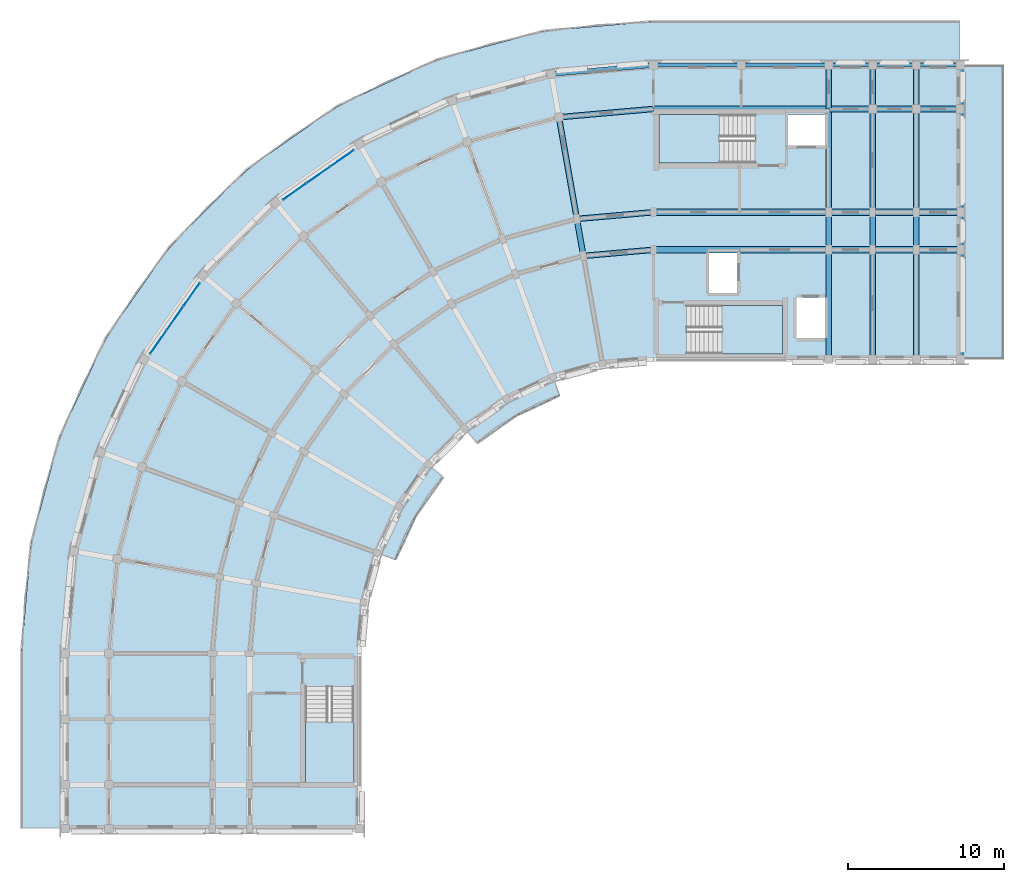
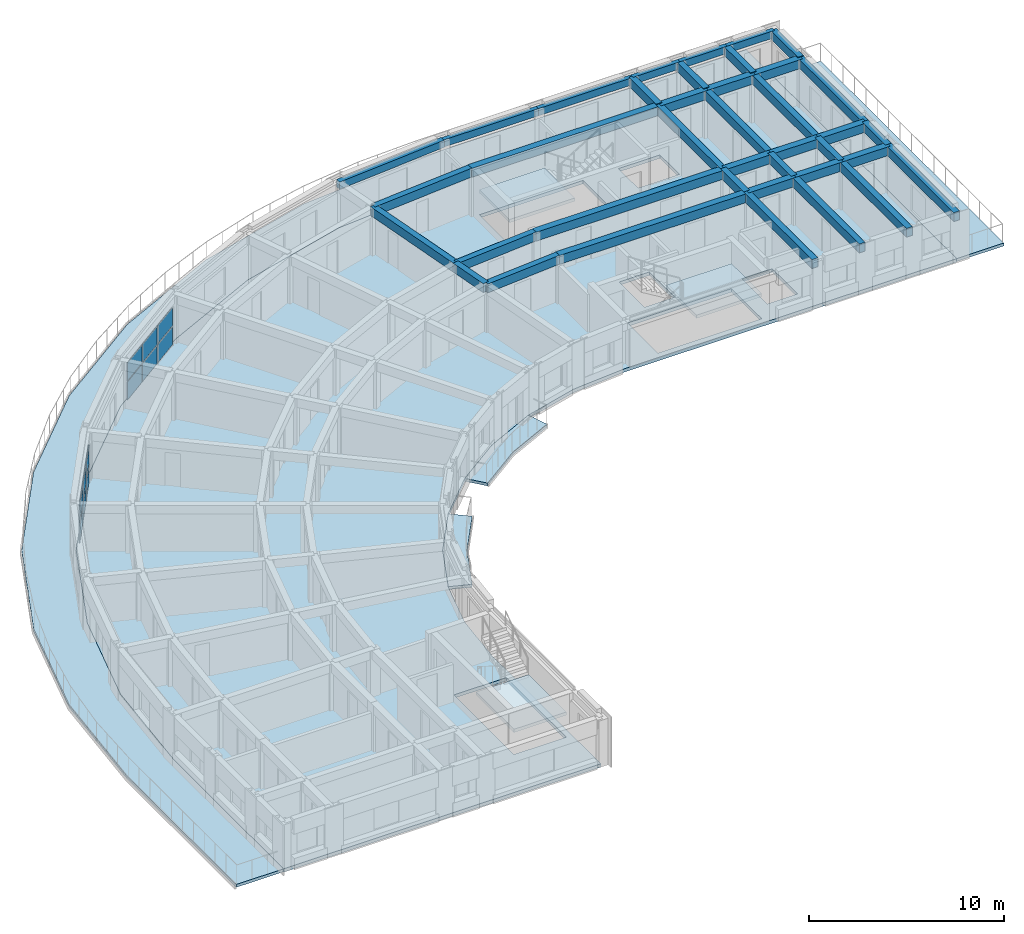
# One storey, part 5 of 16: 39 beams, 12 plates, 8 slabs, 5 elements without a shape of their own.
"""IFC4 building model written with IfcOpenShell, lengths in metres."""

from ifc_helpers import new_model, si_unit, direction, frame, origin, origin_2d, place, context, subcontext, project, spatial, polyline, rectangle, outline, extrude, material, layer, layer_set, material_profile, profile_set, type_object, element, aggregate, save


model = new_model("IFC4")

# Units and contexts
model_context = context("Model", 3, precision=1e-05, world=origin(), true_north=direction((0.0, 1.0)))
body_context = subcontext(model_context, "Body", "Model", "MODEL_VIEW")
ifc_project = project(units=[si_unit("LENGTHUNIT", "METRE"), si_unit("AREAUNIT", "SQUARE_METRE"), si_unit("VOLUMEUNIT", "CUBIC_METRE"), si_unit("PLANEANGLEUNIT", "RADIAN"), si_unit("MASSUNIT", "GRAM", prefix="KILO")], contexts=[model_context])

# Site, building, storey
site_placement = place(None, origin())
site = spatial("IfcSite", under=ifc_project, at=site_placement, CompositionType="ELEMENT")
building_placement = place(site_placement, origin())
building = spatial("IfcBuilding", under=site, at=building_placement, Name="Kiranvali Square Residences", CompositionType="ELEMENT")
storey_placement = place(building_placement, frame((0.0, 0.0, 46.5)))
storey = spatial("IfcBuildingStorey", under=building, at=storey_placement, Name="L14", CompositionType="ELEMENT", Elevation=46.5)

# Beams
ifc_material_1 = material(Name="Concrete M40 (40 MPa)", Category="concrete")
ifc_material_profile_1 = material_profile(ifc_material_1, rectangle(XDim=0.35009765625, YDim=0.550048828125, at=origin_2d()), Name="RC 350x550")
ifc_profile_set_1 = profile_set([ifc_material_profile_1], Name="Concrete M40 (40 MPa)")
beam_type_1 = type_object("IfcBeamType", Name="BM-M40-350x550", PredefinedType="BEAM", material=ifc_profile_set_1)
beam_1_placement = place(storey_placement, frame((48.199951171875, 113.60009765625, 2.655029296875), z_axis=(-0.996191949488, -0.087187153726, 0.0), x_axis=(0.087187153726, -0.996191949488, 0.0)))
element("IfcBeam", 1, at=beam_1_placement, inside=storey, type_object=beam_type_1, Name="L14 beam BM-A-L14-C00-R1", PredefinedType="BEAM", context=body_context, shape_type="SweptSolid", body=[
    extrude(rectangle(XDim=0.35009765625, YDim=0.550048828125, at=origin_2d()), origin(), (0.0, 0.0, 1.0), 4.4970703125),
])
beam_2_placement = place(storey_placement, frame((48.199951171875, 116.0, 2.655029296875), z_axis=(-0.996193663584, -0.087167566415, 0.0), x_axis=(0.087167566415, -0.996193663584, 0.0)))
element("IfcBeam", 2, at=beam_2_placement, inside=storey, type_object=beam_type_1, Name="L14 beam BM-A-L14-C00-R2", PredefinedType="BEAM", context=body_context, shape_type="SweptSolid", body=[
    extrude(rectangle(XDim=0.35009765625, YDim=0.550048828125, at=origin_2d()), origin(), (0.0, 0.0, 1.0), 4.91552734375),
])
beam_3_placement = place(storey_placement, frame((48.199951171875, 122.60009765625, 2.655029296875), z_axis=(-0.996193018494, -0.087174938512, 0.0), x_axis=(0.087174938512, -0.996193018494, 0.0)))
element("IfcBeam", 3, at=beam_3_placement, inside=storey, type_object=beam_type_1, Name="L14 beam BM-A-L14-C00-R3", PredefinedType="BEAM", context=body_context, shape_type="SweptSolid", body=[
    extrude(rectangle(XDim=0.35009765625, YDim=0.550048828125, at=origin_2d()), origin(), (0.0, 0.0, 1.0), 6.066162109375),
])
beam_4_placement = place(storey_placement, frame((43.719970703125, 113.2080078125, 2.655029296875), z_axis=(-0.173646056486, 0.984808127031, 0.0), x_axis=(-0.984808127031, -0.173646056486, 0.0)))
element("IfcBeam", 4, at=beam_4_placement, inside=storey, type_object=beam_type_1, Name="L14 beam BM-A-L14-RAD01-12", PredefinedType="BEAM", context=body_context, shape_type="SweptSolid", body=[
    extrude(rectangle(XDim=0.35009765625, YDim=0.550048828125, at=origin_2d()), origin(), (0.0, 0.0, 1.0), 2.39990234375),
])
beam_5_placement = place(storey_placement, frame((43.30322265625, 115.571533203125, 2.655029296875), z_axis=(-0.173671381499, 0.984803661269, 0.0), x_axis=(-0.984803661269, -0.173671381499, 0.0)))
element("IfcBeam", 5, at=beam_5_placement, inside=storey, type_object=beam_type_1, Name="L14 beam BM-A-L14-RAD01-23", PredefinedType="BEAM", context=body_context, shape_type="SweptSolid", body=[
    extrude(rectangle(XDim=0.35009765625, YDim=0.550048828125, at=origin_2d()), origin(), (0.0, 0.0, 1.0), 6.60009765625),
])
beam_6_placement = place(storey_placement, frame((59.39990234375, 106.60009765625, 2.655029296875), z_axis=(0.0, 1.0, 0.0), x_axis=(-1.0, 0.0, 0.0)))
element("IfcBeam", 6, at=beam_6_placement, inside=storey, type_object=beam_type_1, Name="L14 beam BM-A-L14-A1T1-01", PredefinedType="BEAM", context=body_context, shape_type="SweptSolid", body=[
    extrude(rectangle(XDim=0.35009765625, YDim=0.550048828125, at=origin_2d()), origin(), (0.0, 0.0, 1.0), 7.0),
])
beam_7_placement = place(storey_placement, frame((59.39990234375, 113.60009765625, 2.655029296875), z_axis=(0.0, 1.0, 0.0), x_axis=(-1.0, 0.0, 0.0)))
element("IfcBeam", 7, at=beam_7_placement, inside=storey, type_object=beam_type_1, Name="L14 beam BM-A-L14-A1T1-12", PredefinedType="BEAM", context=body_context, shape_type="SweptSolid", body=[
    extrude(rectangle(XDim=0.35009765625, YDim=0.550048828125, at=origin_2d()), origin(), (0.0, 0.0, 1.0), 2.39990234375),
])
beam_8_placement = place(storey_placement, frame((59.39990234375, 116.0, 2.655029296875), z_axis=(0.0, 1.0, 0.0), x_axis=(-1.0, 0.0, 0.0)))
element("IfcBeam", 8, at=beam_8_placement, inside=storey, type_object=beam_type_1, Name="L14 beam BM-A-L14-A1T1-23", PredefinedType="BEAM", context=body_context, shape_type="SweptSolid", body=[
    extrude(rectangle(XDim=0.35009765625, YDim=0.550048828125, at=origin_2d()), origin(), (0.0, 0.0, 1.0), 6.60009765625),
])
beam_9_placement = place(storey_placement, frame((59.39990234375, 122.60009765625, 2.695068359375), z_axis=(0.0, 1.0, 0.0), x_axis=(-1.0, 0.0, 0.0)))
element("IfcBeam", 9, at=beam_9_placement, inside=storey, type_object=beam_type_1, Name="L14 beam BM-A-L14-A1T1-34", PredefinedType="BEAM", context=body_context, shape_type="SweptSolid", body=[
    extrude(rectangle(XDim=0.35009765625, YDim=0.550048828125, at=origin_2d()), origin(), (0.0, 0.0, 1.0), 2.7998046875),
])
beam_10_placement = place(storey_placement, frame((62.199951171875, 106.60009765625, 2.655029296875), z_axis=(0.0, 1.0, 0.0), x_axis=(-1.0, 0.0, 0.0)))
element("IfcBeam", 10, at=beam_10_placement, inside=storey, type_object=beam_type_1, Name="L14 beam BM-A-L14-A1T2-01", PredefinedType="BEAM", context=body_context, shape_type="SweptSolid", body=[
    extrude(rectangle(XDim=0.35009765625, YDim=0.550048828125, at=origin_2d()), origin(), (0.0, 0.0, 1.0), 7.0),
])
beam_11_placement = place(storey_placement, frame((62.199951171875, 113.60009765625, 2.655029296875), z_axis=(0.0, 1.0, 0.0), x_axis=(-1.0, 0.0, 0.0)))
element("IfcBeam", 11, at=beam_11_placement, inside=storey, type_object=beam_type_1, Name="L14 beam BM-A-L14-A1T2-12", PredefinedType="BEAM", context=body_context, shape_type="SweptSolid", body=[
    extrude(rectangle(XDim=0.35009765625, YDim=0.550048828125, at=origin_2d()), origin(), (0.0, 0.0, 1.0), 2.39990234375),
])
beam_12_placement = place(storey_placement, frame((62.199951171875, 116.0, 2.655029296875), z_axis=(0.0, 1.0, 0.0), x_axis=(-1.0, 0.0, 0.0)))
element("IfcBeam", 12, at=beam_12_placement, inside=storey, type_object=beam_type_1, Name="L14 beam BM-A-L14-A1T2-23", PredefinedType="BEAM", context=body_context, shape_type="SweptSolid", body=[
    extrude(rectangle(XDim=0.35009765625, YDim=0.550048828125, at=origin_2d()), origin(), (0.0, 0.0, 1.0), 6.60009765625),
])
beam_13_placement = place(storey_placement, frame((62.199951171875, 122.60009765625, 2.695068359375), z_axis=(0.0, 1.0, 0.0), x_axis=(-1.0, 0.0, 0.0)))
element("IfcBeam", 13, at=beam_13_placement, inside=storey, type_object=beam_type_1, Name="L14 beam BM-A-L14-A1T2-34", PredefinedType="BEAM", context=body_context, shape_type="SweptSolid", body=[
    extrude(rectangle(XDim=0.35009765625, YDim=0.550048828125, at=origin_2d()), origin(), (0.0, 0.0, 1.0), 2.7998046875),
])
beam_14_placement = place(storey_placement, frame((65.0, 106.60009765625, 2.655029296875), z_axis=(0.0, 1.0, 0.0), x_axis=(-1.0, 0.0, 0.0)))
element("IfcBeam", 14, at=beam_14_placement, inside=storey, type_object=beam_type_1, Name="L14 beam BM-A-L14-A1T3-01", PredefinedType="BEAM", context=body_context, shape_type="SweptSolid", body=[
    extrude(rectangle(XDim=0.35009765625, YDim=0.550048828125, at=origin_2d()), origin(), (0.0, 0.0, 1.0), 7.0),
])
beam_15_placement = place(storey_placement, frame((65.0, 113.60009765625, 2.655029296875), z_axis=(0.0, 1.0, 0.0), x_axis=(-1.0, 0.0, 0.0)))
element("IfcBeam", 15, at=beam_15_placement, inside=storey, type_object=beam_type_1, Name="L14 beam BM-A-L14-A1T3-12", PredefinedType="BEAM", context=body_context, shape_type="SweptSolid", body=[
    extrude(rectangle(XDim=0.35009765625, YDim=0.550048828125, at=origin_2d()), origin(), (0.0, 0.0, 1.0), 2.39990234375),
])
beam_16_placement = place(storey_placement, frame((65.0, 116.0, 2.655029296875), z_axis=(0.0, 1.0, 0.0), x_axis=(-1.0, 0.0, 0.0)))
element("IfcBeam", 16, at=beam_16_placement, inside=storey, type_object=beam_type_1, Name="L14 beam BM-A-L14-A1T3-23", PredefinedType="BEAM", context=body_context, shape_type="SweptSolid", body=[
    extrude(rectangle(XDim=0.35009765625, YDim=0.550048828125, at=origin_2d()), origin(), (0.0, 0.0, 1.0), 6.60009765625),
])
beam_17_placement = place(storey_placement, frame((65.0, 122.60009765625, 2.695068359375), z_axis=(0.0, 1.0, 0.0), x_axis=(-1.0, 0.0, 0.0)))
element("IfcBeam", 17, at=beam_17_placement, inside=storey, type_object=beam_type_1, Name="L14 beam BM-A-L14-A1T3-34", PredefinedType="BEAM", context=body_context, shape_type="SweptSolid", body=[
    extrude(rectangle(XDim=0.35009765625, YDim=0.550048828125, at=origin_2d()), origin(), (0.0, 0.0, 1.0), 2.7998046875),
])
beam_18_placement = place(storey_placement, frame((67.800048828125, 106.60009765625, 2.655029296875), z_axis=(0.0, 1.0, 0.0), x_axis=(-1.0, 0.0, 0.0)))
element("IfcBeam", 18, at=beam_18_placement, inside=storey, type_object=beam_type_1, Name="L14 beam BM-A-L14-A1T4-01", PredefinedType="BEAM", context=body_context, shape_type="SweptSolid", body=[
    extrude(rectangle(XDim=0.35009765625, YDim=0.550048828125, at=origin_2d()), origin(), (0.0, 0.0, 1.0), 7.0),
])
beam_19_placement = place(storey_placement, frame((67.800048828125, 113.60009765625, 2.655029296875), z_axis=(0.0, 1.0, 0.0), x_axis=(-1.0, 0.0, 0.0)))
element("IfcBeam", 19, at=beam_19_placement, inside=storey, type_object=beam_type_1, Name="L14 beam BM-A-L14-A1T4-12", PredefinedType="BEAM", context=body_context, shape_type="SweptSolid", body=[
    extrude(rectangle(XDim=0.35009765625, YDim=0.550048828125, at=origin_2d()), origin(), (0.0, 0.0, 1.0), 2.39990234375),
])
beam_20_placement = place(storey_placement, frame((67.800048828125, 116.0, 2.655029296875), z_axis=(0.0, 1.0, 0.0), x_axis=(-1.0, 0.0, 0.0)))
element("IfcBeam", 20, at=beam_20_placement, inside=storey, type_object=beam_type_1, Name="L14 beam BM-A-L14-A1T4-23", PredefinedType="BEAM", context=body_context, shape_type="SweptSolid", body=[
    extrude(rectangle(XDim=0.35009765625, YDim=0.550048828125, at=origin_2d()), origin(), (0.0, 0.0, 1.0), 6.60009765625),
])
beam_21_placement = place(storey_placement, frame((67.800048828125, 122.60009765625, 2.695068359375), z_axis=(0.0, 1.0, 0.0), x_axis=(-1.0, 0.0, 0.0)))
element("IfcBeam", 21, at=beam_21_placement, inside=storey, type_object=beam_type_1, Name="L14 beam BM-A-L14-A1T4-34", PredefinedType="BEAM", context=body_context, shape_type="SweptSolid", body=[
    extrude(rectangle(XDim=0.35009765625, YDim=0.550048828125, at=origin_2d()), origin(), (0.0, 0.0, 1.0), 2.7998046875),
])
ifc_material_2 = material(Name="Concrete M45 (45 MPa)", Category="concrete")
ifc_material_profile_2 = material_profile(ifc_material_2, rectangle(XDim=0.39990234375, YDim=0.550048828125, at=origin_2d()), Name="RC 400x550")
ifc_profile_set_2 = profile_set([ifc_material_profile_2], Name="Concrete M45 (45 MPa)")
beam_type_2 = type_object("IfcBeamType", Name="BM-M45-400x550", PredefinedType="BEAM", material=ifc_profile_set_2)
beam_22_placement = place(storey_placement, frame((48.199951171875, 113.60009765625, 2.655029296875), z_axis=(1.0, 0.0, 0.0), x_axis=(0.0, 1.0, 0.0)))
element("IfcBeam", 22, at=beam_22_placement, inside=storey, type_object=beam_type_2, Name="L14 beam BM-A-L14-A1U0-R1", PredefinedType="BEAM", context=body_context, shape_type="SweptSolid", body=[
    extrude(rectangle(XDim=0.39990234375, YDim=0.550048828125, at=origin_2d()), origin(), (0.0, 0.0, 1.0), 11.199951171875),
])
for number, where, z_axis, x_axis, name in (
    (23, (59.39990234375, 113.60009765625, 2.655029296875), (1.0, 0.0, 0.0), (0.0, 1.0, 0.0), "L14 beam BM-A-L14-A1U1-R1"),
    (24, (62.199951171875, 113.60009765625, 2.655029296875), (1.0, 0.0, 0.0), (0.0, 1.0, 0.0), "L14 beam BM-A-L14-A1U2-R1"),
    (25, (65.0, 113.60009765625, 2.655029296875), (1.0, 0.0, 0.0), (0.0, 1.0, 0.0), "L14 beam BM-A-L14-A1U3-R1"),
):
    element("IfcBeam", number, at=place(storey_placement, frame(where, z_axis=z_axis, x_axis=x_axis)), inside=storey, type_object=beam_type_2, Name=name, PredefinedType="BEAM", context=body_context, shape_type="SweptSolid", body=[
        extrude(rectangle(XDim=0.39990234375, YDim=0.550048828125, at=origin_2d()), origin(), (0.0, 0.0, 1.0), 2.800048828125),
    ])
beam_23_placement = place(storey_placement, frame((48.199951171875, 116.0, 2.655029296875), z_axis=(1.0, 0.0, 0.0), x_axis=(0.0, 1.0, 0.0)))
element("IfcBeam", 26, at=beam_23_placement, inside=storey, type_object=beam_type_2, Name="L14 beam BM-A-L14-A1U0-R2", PredefinedType="BEAM", context=body_context, shape_type="SweptSolid", body=[
    extrude(rectangle(XDim=0.39990234375, YDim=0.550048828125, at=origin_2d()), origin(), (0.0, 0.0, 1.0), 11.199951171875),
])
for number, where, z_axis, x_axis, name in (
    (27, (59.39990234375, 116.0, 2.655029296875), (1.0, 0.0, 0.0), (0.0, 1.0, 0.0), "L14 beam BM-A-L14-A1U1-R2"),
    (28, (62.199951171875, 116.0, 2.655029296875), (1.0, 0.0, 0.0), (0.0, 1.0, 0.0), "L14 beam BM-A-L14-A1U2-R2"),
    (29, (65.0, 116.0, 2.655029296875), (1.0, 0.0, 0.0), (0.0, 1.0, 0.0), "L14 beam BM-A-L14-A1U3-R2"),
):
    element("IfcBeam", number, at=place(storey_placement, frame(where, z_axis=z_axis, x_axis=x_axis)), inside=storey, type_object=beam_type_2, Name=name, PredefinedType="BEAM", context=body_context, shape_type="SweptSolid", body=[
        extrude(rectangle(XDim=0.39990234375, YDim=0.550048828125, at=origin_2d()), origin(), (0.0, 0.0, 1.0), 2.800048828125),
    ])
beam_24_placement = place(storey_placement, frame((48.199951171875, 122.60009765625, 2.655029296875), z_axis=(1.0, 0.0, 0.0), x_axis=(0.0, 1.0, 0.0)))
element("IfcBeam", 30, at=beam_24_placement, inside=storey, type_object=beam_type_2, Name="L14 beam BM-A-L14-A1U0-R3", PredefinedType="BEAM", context=body_context, shape_type="SweptSolid", body=[
    extrude(rectangle(XDim=0.39990234375, YDim=0.550048828125, at=origin_2d()), origin(), (0.0, 0.0, 1.0), 11.199951171875),
])
for number, where, z_axis, x_axis, name in (
    (31, (59.39990234375, 122.60009765625, 2.655029296875), (1.0, 0.0, 0.0), (0.0, 1.0, 0.0), "L14 beam BM-A-L14-A1U1-R3"),
    (32, (62.199951171875, 122.60009765625, 2.655029296875), (1.0, 0.0, 0.0), (0.0, 1.0, 0.0), "L14 beam BM-A-L14-A1U2-R3"),
    (33, (65.0, 122.60009765625, 2.655029296875), (1.0, 0.0, 0.0), (0.0, 1.0, 0.0), "L14 beam BM-A-L14-A1U3-R3"),
):
    element("IfcBeam", number, at=place(storey_placement, frame(where, z_axis=z_axis, x_axis=x_axis)), inside=storey, type_object=beam_type_2, Name=name, PredefinedType="BEAM", context=body_context, shape_type="SweptSolid", body=[
        extrude(rectangle(XDim=0.39990234375, YDim=0.550048828125, at=origin_2d()), origin(), (0.0, 0.0, 1.0), 2.800048828125),
    ])
ifc_material_profile_3 = material_profile(ifc_material_1, rectangle(XDim=0.25, YDim=0.449951171875, at=origin_2d()), Name="RC 250x450")
ifc_profile_set_3 = profile_set([ifc_material_profile_3], Name="Concrete M40 (40 MPa)")
beam_type_3 = type_object("IfcBeamType", Name="SPN-M40-250x450", PredefinedType="SPANDREL", material=ifc_profile_set_3)
beam_25_placement = place(storey_placement, frame((48.199951171875, 125.39990234375, 2.7451171875), z_axis=(1.0, 0.0, 0.0), x_axis=(0.0, 1.0, 0.0)))
element("IfcBeam", 34, at=beam_25_placement, inside=storey, type_object=beam_type_3, Name="L14 beam BM-A-L14-A1U0-R4", PredefinedType="SPANDREL", context=body_context, shape_type="SweptSolid", body=[
    extrude(rectangle(XDim=0.25, YDim=0.449951171875, at=origin_2d()), origin(), (0.0, 0.0, 1.0), 5.60009765625),
])
beam_26_placement = place(storey_placement, frame((53.800048828125, 125.39990234375, 2.7451171875), z_axis=(1.0, 0.0, 0.0), x_axis=(0.0, 1.0, 0.0)))
element("IfcBeam", 35, at=beam_26_placement, inside=storey, type_object=beam_type_3, Name="L14 beam BM-A-L14-A1U1-R4", PredefinedType="SPANDREL", context=body_context, shape_type="SweptSolid", body=[
    extrude(rectangle(XDim=0.25, YDim=0.449951171875, at=origin_2d()), origin(), (0.0, 0.0, 1.0), 5.599853515625),
])
for number, where, z_axis, x_axis, name in (
    (36, (59.39990234375, 125.39990234375, 2.7451171875), (1.0, 0.0, 0.0), (0.0, 1.0, 0.0), "L14 beam BM-A-L14-A1U2-R4"),
    (37, (62.199951171875, 125.39990234375, 2.7451171875), (1.0, 0.0, 0.0), (0.0, 1.0, 0.0), "L14 beam BM-A-L14-A1U3-R4"),
    (38, (65.0, 125.39990234375, 2.7451171875), (1.0, 0.0, 0.0), (0.0, 1.0, 0.0), "L14 beam BM-A-L14-A1U4-R4"),
):
    element("IfcBeam", number, at=place(storey_placement, frame(where, z_axis=z_axis, x_axis=x_axis)), inside=storey, type_object=beam_type_3, Name=name, PredefinedType="SPANDREL", context=body_context, shape_type="SweptSolid", body=[
        extrude(rectangle(XDim=0.25, YDim=0.449951171875, at=origin_2d()), origin(), (0.0, 0.0, 1.0), 2.800048828125),
    ])
ifc_material_profile_4 = material_profile(ifc_material_1, rectangle(XDim=0.300048828125, YDim=0.449951171875, at=origin_2d()), Name="RC 300x450")
ifc_profile_set_4 = profile_set([ifc_material_profile_4], Name="Concrete M40 (40 MPa)")
beam_type_4 = type_object("IfcBeamType", Name="SPN-M40-300x450", PredefinedType="SPANDREL", material=ifc_profile_set_4)
beam_27_placement = place(storey_placement, frame((48.199951171875, 125.39990234375, 2.7451171875), z_axis=(-0.996196991902, -0.0871295204, 0.0), x_axis=(0.0871295204, -0.996196991902, 0.0)))
element("IfcBeam", 39, at=beam_27_placement, inside=storey, type_object=beam_type_4, Name="L14 beam BM-A-L14-C00-R4", PredefinedType="SPANDREL", context=body_context, shape_type="SweptSolid", body=[
    extrude(rectangle(XDim=0.300048828125, YDim=0.449951171875, at=origin_2d()), origin(), (0.0, 0.0, 1.0), 6.553955078125),
])

# Curtain wall, plates
ifc_material_3 = material(Name="Anodised bronze aluminium framing", Category="aluminium")
curtain_wall_type = type_object("IfcCurtainWallType", Name="CW-RES-LOG", PredefinedType="USERDEFINED", material=ifc_material_3)
curtain_wall_1_placement = place(storey_placement, origin())
curtain_wall_1 = element("IfcCurtainWall", 40, at=curtain_wall_1_placement, inside=storey, type_object=curtain_wall_type, Name="Block A L14 stepped curved terrace loggia 4", ObjectType="CURTAIN WALL", PredefinedType="USERDEFINED")
ifc_material_4 = material(Name="Solar-control low-e double glazing", Category="glass")
ifc_layer_1 = layer(ifc_material_4, 0.028076171875)
ifc_layer_set_1 = layer_set([ifc_layer_1], Name="Solar-control low-e double glazing")
plate_type = type_object("IfcPlateType", Name="PLT-CW-GLZ", PredefinedType="CURTAIN_PANEL", material=ifc_layer_set_1)
plate_1_placement = place(storey_placement, frame((28.29541015625, 119.442626953125, 0.079833984375), z_axis=(0.0, 0.0, 1.0), x_axis=(-0.819152044289, -0.573576436351, 0.0)))
plate_1 = element("IfcPlate", 41, at=plate_1_placement, type_object=plate_type, Name="CW-A-L14-TER-03 glazed panel 1.1", PredefinedType="CURTAIN_PANEL", context=body_context, shape_type="SweptSolid", body=[
    extrude(rectangle(XDim=1.7646484375, YDim=0.028076171875, at=origin_2d()), origin(), (0.0, 0.0, 1.0), 1.1201171875),
])
plate_2_placement = place(storey_placement, frame((28.29541015625, 119.442626953125, 1.280029296875), z_axis=(0.0, 0.0, 1.0), x_axis=(-0.819152044289, -0.573576436351, 0.0)))
plate_2 = element("IfcPlate", 42, at=plate_2_placement, type_object=plate_type, Name="CW-A-L14-TER-03 glazed panel 1.2", PredefinedType="CURTAIN_PANEL", context=body_context, shape_type="SweptSolid", body=[
    extrude(rectangle(XDim=1.7646484375, YDim=0.028076171875, at=origin_2d()), origin(), (0.0, 0.0, 1.0), 1.1201171875),
])
plate_3_placement = place(storey_placement, frame((26.784423828125, 118.384521484375, 0.079833984375), z_axis=(0.0, 0.0, 1.0), x_axis=(-0.819152044289, -0.573576436351, 0.0)))
plate_3 = element("IfcPlate", 43, at=plate_3_placement, type_object=plate_type, Name="CW-A-L14-TER-03 glazed panel 2.1", PredefinedType="CURTAIN_PANEL", context=body_context, shape_type="SweptSolid", body=[
    extrude(rectangle(XDim=1.7646484375, YDim=0.028076171875, at=origin_2d()), origin(), (0.0, 0.0, 1.0), 1.1201171875),
])
plate_4_placement = place(storey_placement, frame((26.784423828125, 118.384521484375, 1.280029296875), z_axis=(0.0, 0.0, 1.0), x_axis=(-0.819152044289, -0.573576436351, 0.0)))
plate_4 = element("IfcPlate", 44, at=plate_4_placement, type_object=plate_type, Name="CW-A-L14-TER-03 glazed panel 2.2", PredefinedType="CURTAIN_PANEL", context=body_context, shape_type="SweptSolid", body=[
    extrude(rectangle(XDim=1.7646484375, YDim=0.028076171875, at=origin_2d()), origin(), (0.0, 0.0, 1.0), 1.1201171875),
])
plate_5_placement = place(storey_placement, frame((25.2734375, 117.32666015625, 0.079833984375), z_axis=(0.0, 0.0, 1.0), x_axis=(-0.819152044289, -0.573576436351, 0.0)))
plate_5 = element("IfcPlate", 45, at=plate_5_placement, type_object=plate_type, Name="CW-A-L14-TER-03 glazed panel 3.1", PredefinedType="CURTAIN_PANEL", context=body_context, shape_type="SweptSolid", body=[
    extrude(rectangle(XDim=1.7646484375, YDim=0.028076171875, at=origin_2d()), origin(), (0.0, 0.0, 1.0), 1.1201171875),
])
plate_6_placement = place(storey_placement, frame((25.2734375, 117.32666015625, 1.280029296875), z_axis=(0.0, 0.0, 1.0), x_axis=(-0.819152044289, -0.573576436351, 0.0)))
plate_6 = element("IfcPlate", 46, at=plate_6_placement, type_object=plate_type, Name="CW-A-L14-TER-03 glazed panel 3.2", PredefinedType="CURTAIN_PANEL", context=body_context, shape_type="SweptSolid", body=[
    extrude(rectangle(XDim=1.7646484375, YDim=0.028076171875, at=origin_2d()), origin(), (0.0, 0.0, 1.0), 1.1201171875),
])
aggregate(curtain_wall_1, [plate_1, plate_2, plate_3, plate_4, plate_5, plate_6])

curtain_wall_2_placement = place(storey_placement, origin())
curtain_wall_2 = element("IfcCurtainWall", 47, at=curtain_wall_2_placement, inside=storey, type_object=curtain_wall_type, Name="Block A L14 stepped curved terrace loggia 6", ObjectType="CURTAIN WALL", PredefinedType="USERDEFINED")
plate_7_placement = place(storey_placement, frame((18.67333984375, 110.7265625, 0.079833984375), z_axis=(0.0, 0.0, 1.0), x_axis=(-0.573576436351, -0.819152044289, 0.0)))
plate_7 = element("IfcPlate", 48, at=plate_7_placement, type_object=plate_type, Name="CW-A-L14-TER-05 glazed panel 1.1", PredefinedType="CURTAIN_PANEL", context=body_context, shape_type="SweptSolid", body=[
    extrude(rectangle(XDim=1.7646484375, YDim=0.028076171875, at=origin_2d()), origin(), (0.0, 0.0, 1.0), 1.1201171875),
])
plate_8_placement = place(storey_placement, frame((18.67333984375, 110.7265625, 1.280029296875), z_axis=(0.0, 0.0, 1.0), x_axis=(-0.573576436351, -0.819152044289, 0.0)))
plate_8 = element("IfcPlate", 49, at=plate_8_placement, type_object=plate_type, Name="CW-A-L14-TER-05 glazed panel 1.2", PredefinedType="CURTAIN_PANEL", context=body_context, shape_type="SweptSolid", body=[
    extrude(rectangle(XDim=1.7646484375, YDim=0.028076171875, at=origin_2d()), origin(), (0.0, 0.0, 1.0), 1.1201171875),
])
plate_9_placement = place(storey_placement, frame((17.615478515625, 109.215576171875, 0.079833984375), z_axis=(0.0, 0.0, 1.0), x_axis=(-0.573576436351, -0.819152044289, 0.0)))
plate_9 = element("IfcPlate", 50, at=plate_9_placement, type_object=plate_type, Name="CW-A-L14-TER-05 glazed panel 2.1", PredefinedType="CURTAIN_PANEL", context=body_context, shape_type="SweptSolid", body=[
    extrude(rectangle(XDim=1.7646484375, YDim=0.028076171875, at=origin_2d()), origin(), (0.0, 0.0, 1.0), 1.1201171875),
])
plate_10_placement = place(storey_placement, frame((17.615478515625, 109.215576171875, 1.280029296875), z_axis=(0.0, 0.0, 1.0), x_axis=(-0.573576436351, -0.819152044289, 0.0)))
plate_10 = element("IfcPlate", 51, at=plate_10_placement, type_object=plate_type, Name="CW-A-L14-TER-05 glazed panel 2.2", PredefinedType="CURTAIN_PANEL", context=body_context, shape_type="SweptSolid", body=[
    extrude(rectangle(XDim=1.7646484375, YDim=0.028076171875, at=origin_2d()), origin(), (0.0, 0.0, 1.0), 1.1201171875),
])
plate_11_placement = place(storey_placement, frame((16.557373046875, 107.70458984375, 0.079833984375), z_axis=(0.0, 0.0, 1.0), x_axis=(-0.573576436351, -0.819152044289, 0.0)))
plate_11 = element("IfcPlate", 52, at=plate_11_placement, type_object=plate_type, Name="CW-A-L14-TER-05 glazed panel 3.1", PredefinedType="CURTAIN_PANEL", context=body_context, shape_type="SweptSolid", body=[
    extrude(rectangle(XDim=1.7646484375, YDim=0.028076171875, at=origin_2d()), origin(), (0.0, 0.0, 1.0), 1.1201171875),
])
plate_12_placement = place(storey_placement, frame((16.557373046875, 107.70458984375, 1.280029296875), z_axis=(0.0, 0.0, 1.0), x_axis=(-0.573576436351, -0.819152044289, 0.0)))
plate_12 = element("IfcPlate", 53, at=plate_12_placement, type_object=plate_type, Name="CW-A-L14-TER-05 glazed panel 3.2", PredefinedType="CURTAIN_PANEL", context=body_context, shape_type="SweptSolid", body=[
    extrude(rectangle(XDim=1.7646484375, YDim=0.028076171875, at=origin_2d()), origin(), (0.0, 0.0, 1.0), 1.1201171875),
])
aggregate(curtain_wall_2, [plate_7, plate_8, plate_9, plate_10, plate_11, plate_12])

# Slabs
ifc_material_5 = material(Name="Concrete M35 (35 MPa)", Category="concrete")
ifc_layer_2 = layer(ifc_material_5, 0.179931640625)
ifc_layer_set_2 = layer_set([ifc_layer_2], Name="Concrete M35 (35 MPa)")
slab_type_1 = type_object("IfcSlabType", Name="SLB-BAL-180", PredefinedType="FLOOR", material=ifc_layer_set_2)
slab_1_placement = place(storey_placement, frame((0.0, 0.0, -0.179931640625)))
element("IfcSlab", 54, at=slab_1_placement, inside=storey, type_object=slab_type_1, Name="Block A L14 north/south wing-end terrace slab", PredefinedType="FLOOR", context=body_context, shape_type="SweptSolid", body=[
    extrude(outline(polyline([(67.800048828125, 106.60009765625), (70.60009765625, 106.60009765625), (70.60009765625, 125.39990234375), (67.800048828125, 125.39990234375), (67.800048828125, 106.60009765625)])), origin(), (0.0, 0.0, 1.0), 0.179931640625),
])
ifc_layer_3 = layer(ifc_material_5, 0.2099609375)
ifc_layer_set_3 = layer_set([ifc_layer_3], Name="Concrete M35 (35 MPa)")
slab_type_2 = type_object("IfcSlabType", Name="SLB-FLR-210", PredefinedType="FLOOR", material=ifc_layer_set_3)
slab_2_placement = place(storey_placement, frame((0.0, 0.0, -0.2099609375)))
element("IfcSlab", 55, at=slab_2_placement, inside=storey, type_object=slab_type_2, Name="Block A L14 structural floor slab", PredefinedType="FLOOR", context=body_context, shape_type="SweptSolid", body=[
    extrude(outline(polyline([(67.800048828125, 106.60009765625), (67.800048828125, 125.39990234375), (48.199951171875, 125.39990234375), (41.6708984375, 124.828857421875), (35.340087890625, 123.13232421875), (29.39990234375, 120.362548828125), (24.03125, 116.603271484375), (19.396728515625, 111.96875), (15.637451171875, 106.60009765625), (12.86767578125, 100.659912109375), (11.171142578125, 94.3291015625), (10.60009765625, 87.800048828125), (10.60009765625, 76.60009765625), (29.39990234375, 76.60009765625), (29.39990234375, 87.800048828125), (29.685546875, 91.064697265625), (30.53369140625, 94.22998046875), (31.918701171875, 97.199951171875), (33.79833984375, 99.884521484375), (36.115478515625, 102.20166015625), (38.800048828125, 104.081298828125), (41.77001953125, 105.46630859375), (44.935302734375, 106.314453125), (48.199951171875, 106.60009765625), (67.800048828125, 106.60009765625)]), holes=[polyline([(56.800048828125, 120.25), (59.25, 120.25), (59.25, 122.25), (56.800048828125, 122.25), (56.800048828125, 120.25)]), polyline([(57.35009765625, 107.949951171875), (59.14990234375, 107.949951171875), (59.14990234375, 110.550048828125), (57.35009765625, 110.550048828125), (57.35009765625, 107.949951171875)]), polyline([(51.75, 110.85009765625), (53.550048828125, 110.85009765625), (53.550048828125, 113.449951171875), (51.75, 113.449951171875), (51.75, 110.85009765625)]), polyline([(54.699951171875, 122.25), (48.550048828125, 122.25), (48.550048828125, 119.14990234375), (54.699951171875, 119.14990234375), (54.699951171875, 122.25)]), polyline([(50.300048828125, 106.949951171875), (56.449951171875, 106.949951171875), (56.449951171875, 110.050048828125), (50.300048828125, 110.050048828125), (50.300048828125, 106.949951171875)]), polyline([(25.949951171875, 85.699951171875), (25.949951171875, 79.550048828125), (29.050048828125, 79.550048828125), (29.050048828125, 85.699951171875), (25.949951171875, 85.699951171875)])]), origin(), (0.0, 0.0, 1.0), 0.2099609375),
])
ifc_layer_4 = layer(ifc_material_5, 0.169921875)
ifc_layer_set_4 = layer_set([ifc_layer_4], Name="Concrete M35 (35 MPa)")
slab_type_3 = type_object("IfcSlabType", Name="SLB-GBAL-170", PredefinedType="FLOOR", material=ifc_layer_set_4)
slab_3_placement = place(storey_placement, frame((0.0, 0.0, -0.179931640625)))
element("IfcSlab", 56, at=slab_3_placement, inside=storey, type_object=slab_type_3, Name="Block A L14 garden balcony slab 1", PredefinedType="FLOOR", context=body_context, shape_type="SweptSolid", body=[
    extrude(outline(polyline([(41.77001953125, 105.46630859375), (38.800048828125, 104.081298828125), (36.115478515625, 102.20166015625), (36.919189453125, 101.244140625), (39.425048828125, 102.998779296875), (42.197509765625, 104.29150390625), (41.77001953125, 105.46630859375)])), origin(), (0.0, 0.0, 1.0), 0.179931640625),
])
slab_4_placement = place(storey_placement, frame((0.0, 0.0, -0.179931640625)))
element("IfcSlab", 57, at=slab_4_placement, inside=storey, type_object=slab_type_3, Name="Block A L14 garden balcony slab 2", PredefinedType="FLOOR", context=body_context, shape_type="SweptSolid", body=[
    extrude(outline(polyline([(33.79833984375, 99.884521484375), (31.918701171875, 97.199951171875), (30.53369140625, 94.22998046875), (31.70849609375, 93.802490234375), (33.001220703125, 96.574951171875), (34.755859375, 99.080810546875), (33.79833984375, 99.884521484375)])), origin(), (0.0, 0.0, 1.0), 0.179931640625),
])

# Stair, slab
stair_type = type_object("IfcStairType", Name="ST-CORE-1700", PredefinedType="HALF_TURN_STAIR", material=ifc_material_5)
stair_1_placement = place(storey_placement, origin())
stair_1 = element("IfcStair", 58, at=stair_1_placement, inside=storey, type_object=stair_type, Name="L14 Block A Firefighting Exit Stair 1", PredefinedType="HALF_TURN_STAIR")
ifc_layer_5 = layer(ifc_material_5, 0.199951171875)
ifc_layer_set_5 = layer_set([ifc_layer_5], Name="Concrete M35 (35 MPa)")
slab_type_4 = type_object("IfcSlabType", Name="SLB-LND-200", PredefinedType="LANDING", material=ifc_layer_set_5)
slab_5_placement = place(storey_placement, frame((0.0, 0.0, 1.375)))
slab_5 = element("IfcSlab", 59, at=slab_5_placement, type_object=slab_type_4, Name="ST-A1 landing 1", PredefinedType="LANDING", context=body_context, shape_type="SweptSolid", body=[
    extrude(outline(polyline([(52.419921875, 122.25), (48.550048828125, 122.25), (48.550048828125, 119.14990234375), (52.419921875, 119.14990234375), (52.419921875, 122.25)])), origin(), (0.0, 0.0, 1.0), 0.199951171875),
])
aggregate(stair_1, [slab_5])

stair_2_placement = place(storey_placement, origin())
stair_2 = element("IfcStair", 60, at=stair_2_placement, inside=storey, type_object=stair_type, Name="L14 Block A Protected Exit Stair 2", PredefinedType="HALF_TURN_STAIR")
slab_6_placement = place(storey_placement, frame((0.0, 0.0, 1.375)))
slab_6 = element("IfcSlab", 61, at=slab_6_placement, type_object=slab_type_4, Name="ST-A2 landing 1", PredefinedType="LANDING", context=body_context, shape_type="SweptSolid", body=[
    extrude(outline(polyline([(52.580078125, 106.949951171875), (56.449951171875, 106.949951171875), (56.449951171875, 110.050048828125), (52.580078125, 110.050048828125), (52.580078125, 106.949951171875)])), origin(), (0.0, 0.0, 1.0), 0.199951171875),
])
aggregate(stair_2, [slab_6])

stair_3_placement = place(storey_placement, origin())
stair_3 = element("IfcStair", 62, at=stair_3_placement, inside=storey, type_object=stair_type, Name="L14 Block A Wing Protected Exit Stair 3", PredefinedType="HALF_TURN_STAIR")
slab_7_placement = place(storey_placement, frame((0.0, 0.0, 1.375)))
slab_7 = element("IfcSlab", 63, at=slab_7_placement, type_object=slab_type_4, Name="ST-A3 landing 1", PredefinedType="LANDING", context=body_context, shape_type="SweptSolid", body=[
    extrude(outline(polyline([(25.949951171875, 83.419921875), (25.949951171875, 79.550048828125), (29.050048828125, 79.550048828125), (29.050048828125, 83.419921875), (25.949951171875, 83.419921875)])), origin(), (0.0, 0.0, 1.0), 0.199951171875),
])
aggregate(stair_3, [slab_7])

# Slab
ifc_layer_6 = layer(ifc_material_5, 0.18994140625)
ifc_layer_set_6 = layer_set([ifc_layer_6], Name="Concrete M35 (35 MPa)")
slab_type_5 = type_object("IfcSlabType", Name="SLB-TER-190", PredefinedType="FLOOR", material=ifc_layer_set_6)
slab_8_placement = place(storey_placement, frame((0.0, 0.0, -0.179931640625)))
element("IfcSlab", 64, at=slab_8_placement, inside=storey, type_object=slab_type_5, Name="Block A L14 stepped curved corner balcony terrace slab", PredefinedType="FLOOR", context=body_context, shape_type="SweptSolid", body=[
    extrude(outline(polyline([(67.800048828125, 128.199951171875), (48.199951171875, 128.199951171875), (41.1845703125, 127.586181640625), (34.38232421875, 125.763671875), (28.0, 122.787353515625), (22.2314453125, 118.748291015625), (17.251708984375, 113.7685546875), (13.212646484375, 108.0), (10.236328125, 101.61767578125), (8.413818359375, 94.8154296875), (7.800048828125, 87.800048828125), (7.800048828125, 76.60009765625), (10.60009765625, 76.60009765625), (10.60009765625, 87.800048828125), (11.171142578125, 94.3291015625), (12.86767578125, 100.659912109375), (15.637451171875, 106.60009765625), (19.396728515625, 111.96875), (24.03125, 116.603271484375), (29.39990234375, 120.362548828125), (35.340087890625, 123.13232421875), (41.6708984375, 124.828857421875), (48.199951171875, 125.39990234375), (67.800048828125, 125.39990234375), (67.800048828125, 128.199951171875)])), origin(), (0.0, 0.0, 1.0), 0.179931640625),
])

save(model, "model.ifc")
